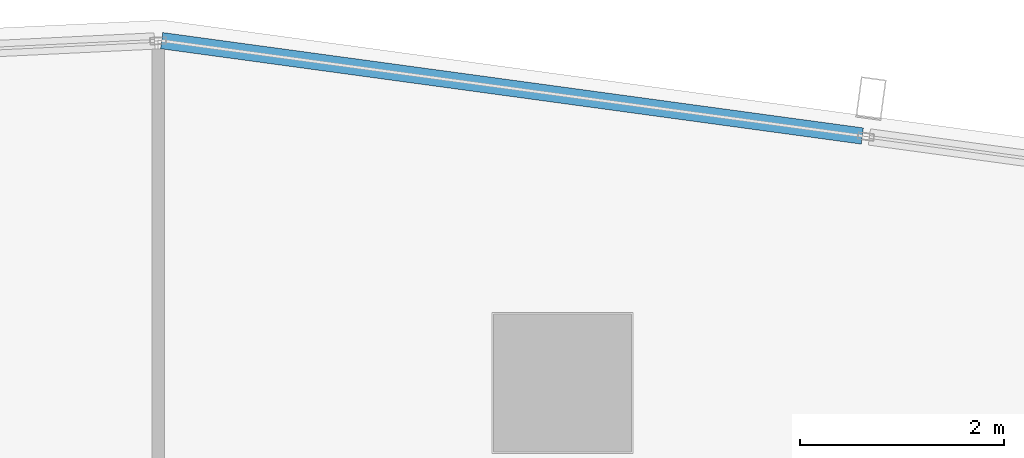
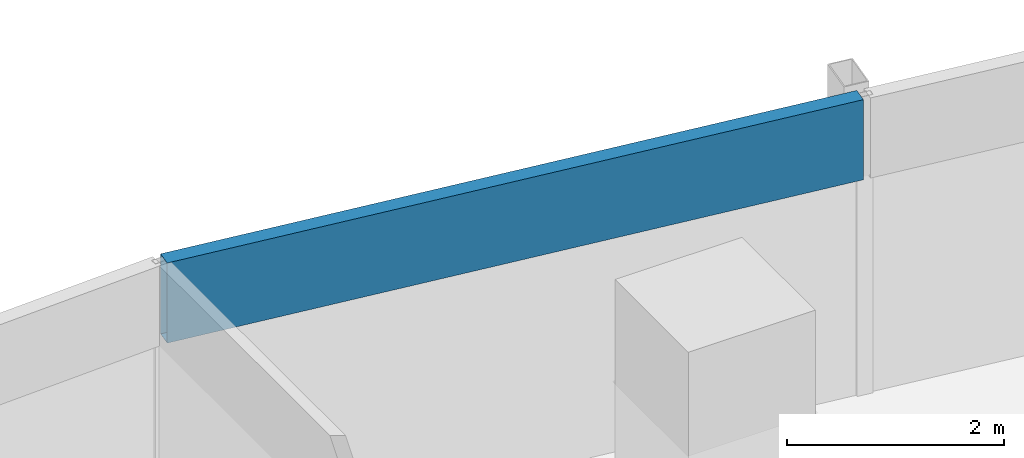
# One storey, part 21 of 39: 1 member, 1 element without a shape of its own.
"""IFC4 building model written with IfcOpenShell, lengths in metres."""

import ifcopenshell
import ifcopenshell.guid

model = None  # the IFC model being written
_history = None  # IfcOwnerHistory: only IFC2X3 demands one
_inside = {}  # id of a spatial element -> (the spatial element, [elements in it])
_under = {}  # id of a project, library or spatial element -> (it, [spatial elements below it])
_declared = {}  # id of a project -> (the project, [libraries it declares])
_typed = {}  # id of a type object -> (the type object, [elements of that type])
_made_of = {}  # id of a material, layer set ... -> (it, [elements and type objects made of it])


def new_model(schema):
    """Start an empty IFC model of exactly this schema.

    Asked for "IFC4X3", IfcOpenShell would pick the latest addendum, in which some entities
    have other attributes; the version numbers below select the first issue.
    IFC2X3 requires an IfcOwnerHistory on every rooted entity: one is made here for all.
    """
    global model, _history
    if schema == "IFC4X3":
        model = ifcopenshell.file(schema_version=(4, 3, 0, 0))
    else:
        model = ifcopenshell.file(schema=schema)
    _inside.clear()
    _under.clear()
    _declared.clear()
    _typed.clear()
    _made_of.clear()
    _history = None
    if model.schema == "IFC2X3":
        org = make("IfcOrganization", Name="unknown")
        user = make(
            "IfcPersonAndOrganization",
            ThePerson=make("IfcPerson", FamilyName="unknown"),
            TheOrganization=org,
        )
        app = make(
            "IfcApplication",
            ApplicationDeveloper=org,
            Version="unknown",
            ApplicationFullName="unknown",
            ApplicationIdentifier="unknown",
        )
        _history = make(
            "IfcOwnerHistory",
            OwningUser=user,
            OwningApplication=app,
            ChangeAction="ADDED",
            CreationDate=0,
        )
    return model


def make(cls, **values):
    """One entity of the class cls with the attributes given. An attribute that is None is left unset."""
    return model.create_entity(
        cls, **{name: value for name, value in values.items() if value is not None}
    )


def rooted(cls, **values):
    """An entity with a GlobalId (a new one), such as an element, a storey or a relation."""
    return make(cls, GlobalId=ifcopenshell.guid.new(), OwnerHistory=_history, **values)


def si_unit(unit_type, name, prefix=None):
    """IfcSIUnit, for example si_unit("LENGTHUNIT", "METRE", prefix="MILLI")."""
    return make("IfcSIUnit", UnitType=unit_type, Prefix=prefix, Name=name)


def assignment(units):
    """IfcUnitAssignment: the units of a project."""
    return None if units is None else make("IfcUnitAssignment", Units=units)


def point(xyz):
    """IfcCartesianPoint."""
    return None if xyz is None else make("IfcCartesianPoint", Coordinates=xyz)


def direction(xyz):
    """IfcDirection."""
    return None if xyz is None else make("IfcDirection", DirectionRatios=xyz)


def frame(location, z_axis=None, x_axis=None):
    """IfcAxis2Placement3D, a coordinate frame: its origin and axes. An axis left out is left unset."""
    return make(
        "IfcAxis2Placement3D",
        Location=point(location),
        Axis=direction(z_axis),
        RefDirection=direction(x_axis),
    )


def frame_2d(location, x_axis=None):
    """IfcAxis2Placement2D, a coordinate frame in the plane: its origin and x axis."""
    return make(
        "IfcAxis2Placement2D", Location=point(location), RefDirection=direction(x_axis)
    )


def origin():
    """The frame at (0, 0, 0) with its axes left unset."""
    return frame((0.0, 0.0, 0.0))


def origin_2d():
    """The frame at (0, 0) in the plane with its x axis left unset."""
    return frame_2d((0.0, 0.0))


def place(relative_to, where):
    """IfcLocalPlacement: puts the frame where relative to a parent placement (None: the world)."""
    return make(
        "IfcLocalPlacement", PlacementRelTo=relative_to, RelativePlacement=where
    )


def context(
    kind, dimensions, precision=None, world=None, true_north=None, identifier=None
):
    """IfcGeometricRepresentationContext, for example the 3D "Model" context."""
    return make(
        "IfcGeometricRepresentationContext",
        ContextIdentifier=identifier,
        ContextType=kind,
        CoordinateSpaceDimension=dimensions,
        Precision=precision,
        WorldCoordinateSystem=world,
        TrueNorth=true_north,
    )


def subcontext(parent, identifier, kind, view, scale=None):
    """IfcGeometricRepresentationSubContext, for example "Body" below "Model"."""
    return make(
        "IfcGeometricRepresentationSubContext",
        ContextIdentifier=identifier,
        ContextType=kind,
        ParentContext=parent,
        TargetScale=scale,
        TargetView=view,
    )


def project(units=None, contexts=None):
    """IfcProject with its units and contexts."""
    return rooted(
        "IfcProject",
        Name="project",
        RepresentationContexts=contexts,
        UnitsInContext=assignment(units),
    )


def spatial(cls, under=None, at=None, **own):
    """A site, building, storey or space (cls), placed at a placement, below another one or the project."""
    s = rooted(cls, ObjectPlacement=at, **own)
    if under is not None:
        _under.setdefault(under.id(), (under, []))[1].append(s)
    return s


def profile(cls, at=None, kind="AREA", **sizes):
    """A parametric profile (cls). Its sizes go by their IFC names, for example OverallWidth=200.0."""
    return make(cls, ProfileType=kind, Position=at, **sizes)


def hollow_rectangle(**sizes):
    """IfcRectangleHollowProfileDef."""
    return profile("IfcRectangleHollowProfileDef", **sizes)


def extrude(swept, where, along, depth):
    """IfcExtrudedAreaSolid: the profile swept, set in the frame where, extruded along a direction by depth."""
    return make(
        "IfcExtrudedAreaSolid",
        SweptArea=swept,
        Position=where,
        ExtrudedDirection=direction(along),
        Depth=depth,
    )


def shape(context_of_items, identifier, shape_type, items):
    """IfcShapeRepresentation: the items that make up one representation, for example the "Body"."""
    return make(
        "IfcShapeRepresentation",
        ContextOfItems=context_of_items,
        RepresentationIdentifier=identifier,
        RepresentationType=shape_type,
        Items=items,
    )


def material(Name=None, Category=None):
    """IfcMaterial."""
    return make("IfcMaterial", Name=Name, Category=Category)


def material_profile(
    of_material, cross_section, Name=None, Category=None, Priority=None
):
    """IfcMaterialProfile: a cross section and its material."""
    return make(
        "IfcMaterialProfile",
        Name=Name,
        Material=of_material,
        Profile=cross_section,
        Priority=Priority,
        Category=Category,
    )


def profile_set(profiles, Name=None, composite=None):
    """IfcMaterialProfileSet."""
    return make(
        "IfcMaterialProfileSet",
        Name=Name,
        MaterialProfiles=profiles,
        CompositeProfile=composite,
    )


def made_of(thing, what):
    """Note that an element or type object is made of a material, layer set ...; save() writes the relation."""
    if what is not None:
        _made_of.setdefault(what.id(), (what, []))[1].append(thing)
    return thing


def type_object(cls, material=None, **own):
    """A type object (cls), such as IfcWallType, which elements share."""
    return made_of(rooted(cls, **own), material)


def element(
    cls,
    number,
    at=None,
    inside=None,
    cuts=None,
    type_object=None,
    material=None,
    context=None,
    identifier="Body",
    shape_type=None,
    held_by="IfcProductDefinitionShape",
    body=None,
    shapes=None,
    **own,
):
    """One element of the class cls, such as IfcWall. Its Tag is "e" and its number.

    at: its placement. inside: the storey or other place that contains it. cuts: it is an
    opening in that element (IfcRelVoidsElement). A single representation is given by context,
    identifier, shape_type and body (its items); several are given by shapes. held_by: the class
    of the entity that holds the representations. save() writes the other relations.
    """
    e = rooted(cls, Tag="e%d" % number, ObjectPlacement=at, **own)
    if body is not None:
        shapes = [shape(context, identifier, shape_type, body)]
    if shapes is not None:
        e.Representation = make(held_by, Representations=shapes)
    if inside is not None:
        _inside.setdefault(inside.id(), (inside, []))[1].append(e)
    if cuts is not None:
        rooted(
            "IfcRelVoidsElement", RelatingBuildingElement=cuts, RelatedOpeningElement=e
        )
    if type_object is not None:
        _typed.setdefault(type_object.id(), (type_object, []))[1].append(e)
    return made_of(e, material)


def aggregate(whole, parts):
    """IfcRelAggregates: a whole, such as a stair, and the parts it consists of."""
    return rooted("IfcRelAggregates", RelatingObject=whole, RelatedObjects=parts)


def save(model, path):
    """Write the relations noted so far, then the file.

    IfcRelAggregates (storeys below a building ...), IfcRelContainedInSpatialStructure (elements
    in a storey), IfcRelDefinesByType, IfcRelAssociatesMaterial and IfcRelDeclares: one each for
    every whole, place, type object, material and project.
    """
    for whole, parts in _under.values():
        aggregate(whole, parts)
    for where, things in _inside.values():
        rooted(
            "IfcRelContainedInSpatialStructure",
            RelatedElements=things,
            RelatingStructure=where,
        )
    for kind, things in _typed.values():
        rooted("IfcRelDefinesByType", RelatedObjects=things, RelatingType=kind)
    for what, things in _made_of.values():
        rooted("IfcRelAssociatesMaterial", RelatedObjects=things, RelatingMaterial=what)
    for by, libraries in _declared.values():
        rooted("IfcRelDeclares", RelatingContext=by, RelatedDefinitions=libraries)
    model.write(path)


model = new_model("IFC4")

# Units and contexts
model_context = context("Model", 3, precision=1e-05, world=origin(), true_north=direction((0.0, 1.0)))
body_context = subcontext(model_context, "Body", "Model", "MODEL_VIEW")
ifc_project = project(units=[si_unit("LENGTHUNIT", "METRE"), si_unit("AREAUNIT", "SQUARE_METRE"), si_unit("VOLUMEUNIT", "CUBIC_METRE"), si_unit("PLANEANGLEUNIT", "RADIAN"), si_unit("MASSUNIT", "GRAM", prefix="KILO")], contexts=[model_context])

# Site, building, storey
site_placement = place(None, origin())
site = spatial("IfcSite", under=ifc_project, at=site_placement, CompositionType="ELEMENT")
building_placement = place(site_placement, origin())
building = spatial("IfcBuilding", under=site, at=building_placement, Name="Rekha Terrace Tower", CompositionType="ELEMENT")
storey_placement = place(building_placement, frame((0.0, 0.0, 221.449951171875)))
storey = spatial("IfcBuildingStorey", under=building, at=storey_placement, Name="L56", CompositionType="ELEMENT", Elevation=221.449951171875)

# Curtain wall, member
ifc_material_1 = material(Name="Aluminium framing", Category="aluminium")
curtain_wall_type = type_object("IfcCurtainWallType", Name="CW3 north unitised glazing", PredefinedType="USERDEFINED", material=ifc_material_1)
curtain_wall_placement = place(storey_placement, origin())
curtain_wall = element("IfcCurtainWall", 1, at=curtain_wall_placement, inside=storey, type_object=curtain_wall_type, Name="CW3 unitised curtain wall", ObjectType="UNITISED CURTAIN WALL", PredefinedType="USERDEFINED")
ifc_material_2 = material(Name="Insulated aluminium spandrel box", Category="aluminium")
ifc_material_profile = material_profile(ifc_material_2, hollow_rectangle(XDim=0.159912109375, YDim=0.89990234375, WallThickness=0.0029296875, at=origin_2d()), Name="AL SPANDREL BOX 160x900")
ifc_profile_set = profile_set([ifc_material_profile], Name="Insulated aluminium spandrel box")
member_type = type_object("IfcMemberType", Name="CW3 spandrel transom 160 x 900", PredefinedType="USERDEFINED", material=ifc_profile_set)
member_placement = place(storey_placement, frame((53.334716796875, 61.21630859375, 3.050048828125), z_axis=(-0.990863635349, 0.134867550367, 0.0), x_axis=(-0.134867550367, -0.990863635349, 0.0)))
member = element("IfcMember", 2, at=member_placement, type_object=member_type, Name="CW3 spandrel transom 2", ObjectType="TRANSOM", PredefinedType="USERDEFINED", context=body_context, shape_type="SweptSolid", body=[
    extrude(hollow_rectangle(XDim=0.159912109375, YDim=0.89990234375, WallThickness=0.0029296875, at=origin_2d()), origin(), (0.0, 0.0, 1.0), 6.918701171875),
])
aggregate(curtain_wall, [member])

save(model, "model.ifc")
